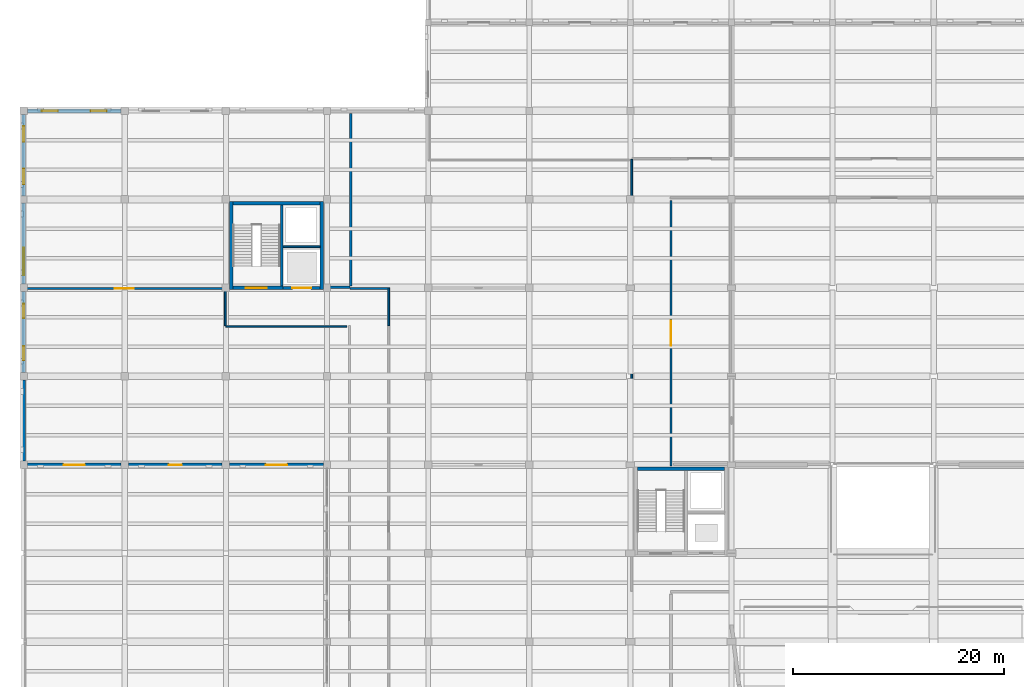
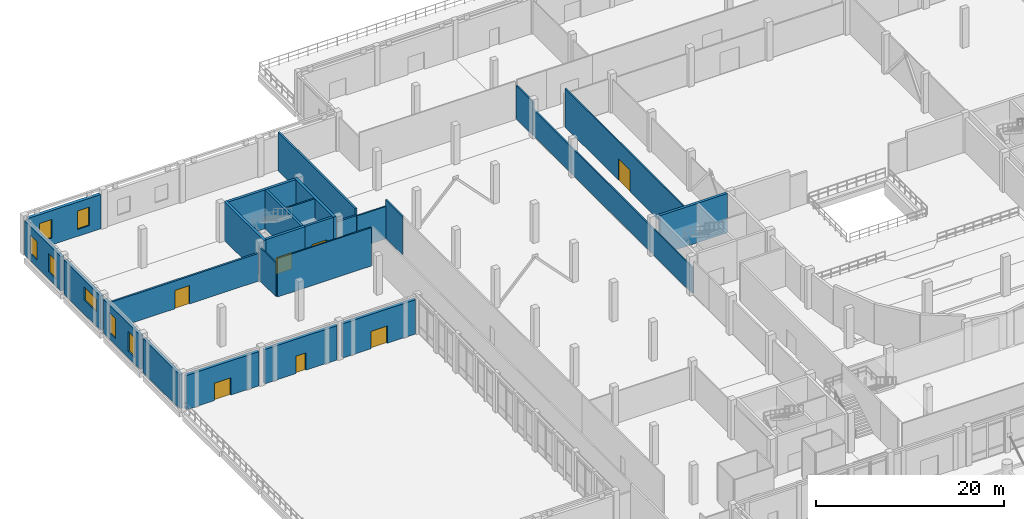
# One storey, part 54 of 71: 26 walls, 7 doors, 7 windows, 14 openings.
"""IFC4 building model written with IfcOpenShell, lengths in metres."""

import ifcopenshell
import ifcopenshell.guid

model = None  # the IFC model being written
_history = None  # IfcOwnerHistory: only IFC2X3 demands one
_inside = {}  # id of a spatial element -> (the spatial element, [elements in it])
_under = {}  # id of a project, library or spatial element -> (it, [spatial elements below it])
_declared = {}  # id of a project -> (the project, [libraries it declares])
_typed = {}  # id of a type object -> (the type object, [elements of that type])
_made_of = {}  # id of a material, layer set ... -> (it, [elements and type objects made of it])


def new_model(schema):
    """Start an empty IFC model of exactly this schema.

    Asked for "IFC4X3", IfcOpenShell would pick the latest addendum, in which some entities
    have other attributes; the version numbers below select the first issue.
    IFC2X3 requires an IfcOwnerHistory on every rooted entity: one is made here for all.
    """
    global model, _history
    if schema == "IFC4X3":
        model = ifcopenshell.file(schema_version=(4, 3, 0, 0))
    else:
        model = ifcopenshell.file(schema=schema)
    _inside.clear()
    _under.clear()
    _declared.clear()
    _typed.clear()
    _made_of.clear()
    _history = None
    if model.schema == "IFC2X3":
        org = make("IfcOrganization", Name="unknown")
        user = make(
            "IfcPersonAndOrganization",
            ThePerson=make("IfcPerson", FamilyName="unknown"),
            TheOrganization=org,
        )
        app = make(
            "IfcApplication",
            ApplicationDeveloper=org,
            Version="unknown",
            ApplicationFullName="unknown",
            ApplicationIdentifier="unknown",
        )
        _history = make(
            "IfcOwnerHistory",
            OwningUser=user,
            OwningApplication=app,
            ChangeAction="ADDED",
            CreationDate=0,
        )
    return model


def make(cls, **values):
    """One entity of the class cls with the attributes given. An attribute that is None is left unset."""
    return model.create_entity(
        cls, **{name: value for name, value in values.items() if value is not None}
    )


def rooted(cls, **values):
    """An entity with a GlobalId (a new one), such as an element, a storey or a relation."""
    return make(cls, GlobalId=ifcopenshell.guid.new(), OwnerHistory=_history, **values)


def si_unit(unit_type, name, prefix=None):
    """IfcSIUnit, for example si_unit("LENGTHUNIT", "METRE", prefix="MILLI")."""
    return make("IfcSIUnit", UnitType=unit_type, Prefix=prefix, Name=name)


def assignment(units):
    """IfcUnitAssignment: the units of a project."""
    return None if units is None else make("IfcUnitAssignment", Units=units)


def point(xyz):
    """IfcCartesianPoint."""
    return None if xyz is None else make("IfcCartesianPoint", Coordinates=xyz)


def direction(xyz):
    """IfcDirection."""
    return None if xyz is None else make("IfcDirection", DirectionRatios=xyz)


def frame(location, z_axis=None, x_axis=None):
    """IfcAxis2Placement3D, a coordinate frame: its origin and axes. An axis left out is left unset."""
    return make(
        "IfcAxis2Placement3D",
        Location=point(location),
        Axis=direction(z_axis),
        RefDirection=direction(x_axis),
    )


def frame_2d(location, x_axis=None):
    """IfcAxis2Placement2D, a coordinate frame in the plane: its origin and x axis."""
    return make(
        "IfcAxis2Placement2D", Location=point(location), RefDirection=direction(x_axis)
    )


def origin():
    """The frame at (0, 0, 0) with its axes left unset."""
    return frame((0.0, 0.0, 0.0))


def place(relative_to, where):
    """IfcLocalPlacement: puts the frame where relative to a parent placement (None: the world)."""
    return make(
        "IfcLocalPlacement", PlacementRelTo=relative_to, RelativePlacement=where
    )


def context(
    kind, dimensions, precision=None, world=None, true_north=None, identifier=None
):
    """IfcGeometricRepresentationContext, for example the 3D "Model" context."""
    return make(
        "IfcGeometricRepresentationContext",
        ContextIdentifier=identifier,
        ContextType=kind,
        CoordinateSpaceDimension=dimensions,
        Precision=precision,
        WorldCoordinateSystem=world,
        TrueNorth=true_north,
    )


def subcontext(parent, identifier, kind, view, scale=None):
    """IfcGeometricRepresentationSubContext, for example "Body" below "Model"."""
    return make(
        "IfcGeometricRepresentationSubContext",
        ContextIdentifier=identifier,
        ContextType=kind,
        ParentContext=parent,
        TargetScale=scale,
        TargetView=view,
    )


def project(units=None, contexts=None):
    """IfcProject with its units and contexts."""
    return rooted(
        "IfcProject",
        Name="project",
        RepresentationContexts=contexts,
        UnitsInContext=assignment(units),
    )


def spatial(cls, under=None, at=None, **own):
    """A site, building, storey or space (cls), placed at a placement, below another one or the project."""
    s = rooted(cls, ObjectPlacement=at, **own)
    if under is not None:
        _under.setdefault(under.id(), (under, []))[1].append(s)
    return s


def profile(cls, at=None, kind="AREA", **sizes):
    """A parametric profile (cls). Its sizes go by their IFC names, for example OverallWidth=200.0."""
    return make(cls, ProfileType=kind, Position=at, **sizes)


def rectangle(**sizes):
    """IfcRectangleProfileDef."""
    return profile("IfcRectangleProfileDef", **sizes)


def extrude(swept, where, along, depth):
    """IfcExtrudedAreaSolid: the profile swept, set in the frame where, extruded along a direction by depth."""
    return make(
        "IfcExtrudedAreaSolid",
        SweptArea=swept,
        Position=where,
        ExtrudedDirection=direction(along),
        Depth=depth,
    )


def shape(context_of_items, identifier, shape_type, items):
    """IfcShapeRepresentation: the items that make up one representation, for example the "Body"."""
    return make(
        "IfcShapeRepresentation",
        ContextOfItems=context_of_items,
        RepresentationIdentifier=identifier,
        RepresentationType=shape_type,
        Items=items,
    )


def material(Name=None, Category=None):
    """IfcMaterial."""
    return make("IfcMaterial", Name=Name, Category=Category)


def layer(
    of_material, thickness, ventilated=None, Name=None, Category=None, Priority=None
):
    """IfcMaterialLayer: one layer of a wall or slab, of a material (None: an air gap)."""
    return make(
        "IfcMaterialLayer",
        Material=of_material,
        LayerThickness=thickness,
        IsVentilated=ventilated,
        Name=Name,
        Category=Category,
        Priority=Priority,
    )


def layer_set(layers, Name=None):
    """IfcMaterialLayerSet."""
    return make("IfcMaterialLayerSet", MaterialLayers=layers, LayerSetName=Name)


def made_of(thing, what):
    """Note that an element or type object is made of a material, layer set ...; save() writes the relation."""
    if what is not None:
        _made_of.setdefault(what.id(), (what, []))[1].append(thing)
    return thing


def type_object(cls, material=None, **own):
    """A type object (cls), such as IfcWallType, which elements share."""
    return made_of(rooted(cls, **own), material)


def element(
    cls,
    number,
    at=None,
    inside=None,
    cuts=None,
    type_object=None,
    material=None,
    context=None,
    identifier="Body",
    shape_type=None,
    held_by="IfcProductDefinitionShape",
    body=None,
    shapes=None,
    **own,
):
    """One element of the class cls, such as IfcWall. Its Tag is "e" and its number.

    at: its placement. inside: the storey or other place that contains it. cuts: it is an
    opening in that element (IfcRelVoidsElement). A single representation is given by context,
    identifier, shape_type and body (its items); several are given by shapes. held_by: the class
    of the entity that holds the representations. save() writes the other relations.
    """
    e = rooted(cls, Tag="e%d" % number, ObjectPlacement=at, **own)
    if body is not None:
        shapes = [shape(context, identifier, shape_type, body)]
    if shapes is not None:
        e.Representation = make(held_by, Representations=shapes)
    if inside is not None:
        _inside.setdefault(inside.id(), (inside, []))[1].append(e)
    if cuts is not None:
        rooted(
            "IfcRelVoidsElement", RelatingBuildingElement=cuts, RelatedOpeningElement=e
        )
    if type_object is not None:
        _typed.setdefault(type_object.id(), (type_object, []))[1].append(e)
    return made_of(e, material)


def fill(opening, filler):
    """IfcRelFillsElement: the door or window that sits in an opening."""
    return rooted(
        "IfcRelFillsElement",
        RelatingOpeningElement=opening,
        RelatedBuildingElement=filler,
    )


def aggregate(whole, parts):
    """IfcRelAggregates: a whole, such as a stair, and the parts it consists of."""
    return rooted("IfcRelAggregates", RelatingObject=whole, RelatedObjects=parts)


def save(model, path):
    """Write the relations noted so far, then the file.

    IfcRelAggregates (storeys below a building ...), IfcRelContainedInSpatialStructure (elements
    in a storey), IfcRelDefinesByType, IfcRelAssociatesMaterial and IfcRelDeclares: one each for
    every whole, place, type object, material and project.
    """
    for whole, parts in _under.values():
        aggregate(whole, parts)
    for where, things in _inside.values():
        rooted(
            "IfcRelContainedInSpatialStructure",
            RelatedElements=things,
            RelatingStructure=where,
        )
    for kind, things in _typed.values():
        rooted("IfcRelDefinesByType", RelatedObjects=things, RelatingType=kind)
    for what, things in _made_of.values():
        rooted("IfcRelAssociatesMaterial", RelatedObjects=things, RelatingMaterial=what)
    for by, libraries in _declared.values():
        rooted("IfcRelDeclares", RelatingContext=by, RelatedDefinitions=libraries)
    model.write(path)


model = new_model("IFC4")

# Units and contexts
model_context = context("Model", 3, precision=1e-05, world=origin(), true_north=direction((0.0, 1.0)))
body_context = subcontext(model_context, "Body", "Model", "MODEL_VIEW")
ifc_project = project(units=[si_unit("LENGTHUNIT", "METRE"), si_unit("AREAUNIT", "SQUARE_METRE"), si_unit("VOLUMEUNIT", "CUBIC_METRE"), si_unit("PLANEANGLEUNIT", "RADIAN"), si_unit("MASSUNIT", "GRAM", prefix="KILO")], contexts=[model_context])

# Site, building, storey
site_placement = place(None, origin())
site = spatial("IfcSite", under=ifc_project, at=site_placement, CompositionType="ELEMENT")
building_placement = place(site_placement, origin())
building = spatial("IfcBuilding", under=site, at=building_placement, Name="Lornevale Opera House", CompositionType="ELEMENT")
storey_placement = place(building_placement, origin())
storey = spatial("IfcBuildingStorey", under=building, at=storey_placement, Name="L01", CompositionType="ELEMENT", Elevation=0.0)

# Wall, opening, door
ifc_material_1 = material(Name="Concrete 40 MPa (CSA A23.1 C-1)", Category="concrete")
ifc_layer_1 = layer(ifc_material_1, 0.320068359375)
ifc_layer_set_1 = layer_set([ifc_layer_1], Name="Concrete 40 MPa (CSA A23.1 C-1)")
wall_type_1 = type_object("IfcWallType", Name="Core Shear Wall 320", PredefinedType="SHEAR", material=ifc_layer_set_1)
wall_1_placement = place(storey_placement, frame((19.860107421875, 84.0, 0.0), z_axis=(0.0, 0.0, 1.0), x_axis=(1.0, 0.0, 0.0)))
wall_1 = element("IfcWall", 1, at=wall_1_placement, inside=storey, type_object=wall_type_1, Name="North-West Workshop Core Core Shear Wall 320 WL-COR-0127", PredefinedType="SHEAR", context=body_context, shape_type="SweptSolid", body=[
    extrude(rectangle(XDim=4.77978515625, YDim=0.320068359375, at=frame_2d((2.389892578125, 0.0))), origin(), (0.0, 0.0, 1.0), 5.050048828125),
])
opening_1_placement = place(wall_1_placement, frame((1.239990234375, 0.0, 0.0)))
opening_1 = element("IfcOpeningElement", 2, at=opening_1_placement, cuts=wall_1, Name="Opening DR-T12", PredefinedType="OPENING", context=body_context, shape_type="SweptSolid", body=[
    extrude(rectangle(XDim=2.0, YDim=2.199951171875, at=frame_2d((1.0, 1.10009765625))), frame((0.0, 0.169921875, 0.0), z_axis=(0.0, -1.0, 0.0), x_axis=(1.0, 0.0, 0.0)), (0.0, 0.0, 1.0), 0.340087890625),
])
ifc_material_2 = material(Name="Painted Hollow Metal Door Steel", Category="steel")
ifc_layer_2 = layer(ifc_material_2, 2.199951171875)
ifc_layer_set_2 = layer_set([ifc_layer_2], Name="Painted Hollow Metal Door Steel")
door_type_1 = type_object("IfcDoorType", Name="Exit Stair Discharge Pair 2000x2200", OperationType="NOTDEFINED", PredefinedType="DOOR", material=ifc_layer_set_2)
door_1_placement = place(opening_1_placement, origin())
door_1 = element("IfcDoor", 3, at=door_1_placement, inside=storey, type_object=door_type_1, Name="C4 Stair Door L01", OperationType="DOUBLE_SWING_LEFT", OverallHeight=2.199951171875, OverallWidth=2.0, PredefinedType="DOOR", context=body_context, shape_type="SweptSolid", body=[
    extrude(rectangle(XDim=2.0, YDim=2.199951171875, at=frame_2d((1.0, 1.10009765625))), frame((0.0, 0.02490234375, 0.0), z_axis=(0.0, -1.0, 0.0), x_axis=(1.0, 0.0, 0.0)), (0.0, 0.0, 1.0), 0.050048828125),
])
fill(opening_1, door_1)

# Walls
wall_2_placement = place(storey_placement, frame((28.139892578125, 92.0400390625, 0.0), z_axis=(0.0, 0.0, 1.0), x_axis=(-1.0, 0.0, 0.0)))
element("IfcWall", 4, at=wall_2_placement, inside=storey, type_object=wall_type_1, Name="North-West Workshop Core Core Shear Wall 320 WL-COR-0129", PredefinedType="SHEAR", context=body_context, shape_type="SweptSolid", body=[
    extrude(rectangle(XDim=8.27978515625, YDim=0.320068359375, at=frame_2d((4.139892578125, 0.0))), origin(), (0.0, 0.0, 1.0), 5.050048828125),
])
for number, where, z_axis, x_axis, name in (
    (5, (19.699951171875, 92.199951171875, 0.0), (0.0, 0.0, 1.0), (0.0, -1.0, 0.0), "North-West Workshop Core Core Shear Wall 320 WL-COR-0130"),
    (6, (28.300048828125, 83.840087890625, 0.0), (0.0, 0.0, 1.0), (0.0, 1.0, 0.0), "North-West Workshop Core Core Shear Wall 320 WL-COR-0131"),
):
    element("IfcWall", number, at=place(storey_placement, frame(where, z_axis=z_axis, x_axis=x_axis)), inside=storey, type_object=wall_type_1, Name=name, PredefinedType="SHEAR", context=body_context, shape_type="SweptSolid", body=[
        extrude(rectangle(XDim=8.35986328125, YDim=0.320068359375, at=frame_2d((4.179931640625, 0.0))), origin(), (0.0, 0.0, 1.0), 5.050048828125),
    ])
wall_3_placement = place(storey_placement, frame((66.5400390625, 66.840087890625, 0.0), z_axis=(0.0, 0.0, 1.0), x_axis=(-1.0, 0.0, 0.0)))
element("IfcWall", 7, at=wall_3_placement, inside=storey, type_object=wall_type_1, Name="Auditorium West Tier Core Core Shear Wall 320 WL-COR-0164", PredefinedType="SHEAR", context=body_context, shape_type="SweptSolid", body=[
    extrude(rectangle(XDim=8.280029296875, YDim=0.320068359375, at=frame_2d((4.14013671875, 0.0))), origin(), (0.0, 0.0, 1.0), 5.10009765625),
])

# Wall, opening, door
ifc_material_3 = material(Name="Acoustic Mineral-Core Gypsum Partition", Category="gypsum")
ifc_layer_3 = layer(ifc_material_3, 0.1650390625)
ifc_layer_set_3 = layer_set([ifc_layer_3], Name="Acoustic Mineral-Core Gypsum Partition")
wall_type_2 = type_object("IfcWallType", Name="Corridor Rated Partition 165", PredefinedType="PARTITIONING", material=ifc_layer_set_3)
wall_4_placement = place(storey_placement, frame((61.4599609375, 67.090087890625, 0.0), z_axis=(0.0, 0.0, 1.0), x_axis=(0.0, 1.0, 0.0)))
wall_4 = element("IfcWall", 8, at=wall_4_placement, inside=storey, type_object=wall_type_2, Name="L01 Partition WL-INT-0668", PredefinedType="PARTITIONING", context=body_context, shape_type="SweptSolid", body=[
    extrude(rectangle(XDim=25.199951171875, YDim=0.1650390625, at=frame_2d((12.60009765625, 0.0))), origin(), (0.0, 0.0, 1.0), 4.989990234375),
])
opening_2_placement = place(wall_4_placement, frame((11.39990234375, 0.0, 0.0)))
opening_2 = element("IfcOpeningElement", 9, at=opening_2_placement, cuts=wall_4, Name="Opening DR-T16", PredefinedType="OPENING", context=body_context, shape_type="SweptSolid", body=[
    extrude(rectangle(XDim=2.39990234375, YDim=2.800048828125, at=frame_2d((1.199951171875, 1.39990234375))), frame((0.0, 0.092529296875, 0.0), z_axis=(0.0, -1.0, 0.0), x_axis=(1.0, 0.0, 0.0)), (0.0, 0.0, 1.0), 0.18505859375),
])
ifc_layer_4 = layer(ifc_material_2, 2.800048828125)
ifc_layer_set_4 = layer_set([ifc_layer_4], Name="Painted Hollow Metal Door Steel")
door_type_2 = type_object("IfcDoorType", Name="Stage Scenery Double Door 2400x2800", OperationType="NOTDEFINED", PredefinedType="DOOR", material=ifc_layer_set_4)
door_2_placement = place(opening_2_placement, origin())
door_2 = element("IfcDoor", 10, at=door_2_placement, inside=storey, type_object=door_type_2, Name="Left Side Stage Door", OperationType="DOUBLE_SWING_LEFT", OverallHeight=2.800048828125, OverallWidth=2.39990234375, PredefinedType="DOOR", context=body_context, shape_type="SweptSolid", body=[
    extrude(rectangle(XDim=2.39990234375, YDim=2.800048828125, at=frame_2d((1.199951171875, 1.39990234375))), frame((0.0, 0.02490234375, 0.0), z_axis=(0.0, -1.0, 0.0), x_axis=(1.0, 0.0, 0.0)), (0.0, 0.0, 1.0), 0.050048828125),
])
fill(opening_2, door_2)

# Walls
wall_5_placement = place(storey_placement, frame((31.0, 83.93994140625, 0.0), z_axis=(0.0, 0.0, 1.0), x_axis=(1.0, 0.0, 0.0)))
element("IfcWall", 11, at=wall_5_placement, inside=storey, type_object=wall_type_2, Name="L01 Partition WL-INT-0691", PredefinedType="PARTITIONING", context=body_context, shape_type="SweptSolid", body=[
    extrude(rectangle(XDim=3.60009765625, YDim=0.1650390625, at=frame_2d((1.800048828125, 0.0))), origin(), (0.0, 0.0, 1.0), 4.199951171875),
])
wall_6_placement = place(storey_placement, frame((34.659912109375, 80.39990234375, 0.0), z_axis=(0.0, 0.0, 1.0), x_axis=(0.0, 1.0, 0.0)))
element("IfcWall", 12, at=wall_6_placement, inside=storey, type_object=wall_type_2, Name="L01 Partition WL-INT-0692", PredefinedType="PARTITIONING", context=body_context, shape_type="SweptSolid", body=[
    extrude(rectangle(XDim=3.60009765625, YDim=0.1650390625, at=frame_2d((1.800048828125, 0.0))), origin(), (0.0, 0.0, 1.0), 4.989990234375),
])
wall_7_placement = place(storey_placement, frame((57.739990234375, 58.800048828125, 0.0), z_axis=(0.0, 0.0, 1.0), x_axis=(0.0, 1.0, 0.0)))
element("IfcWall", 13, at=wall_7_placement, inside=storey, type_object=wall_type_2, Name="L01 Partition WL-INT-0696", PredefinedType="PARTITIONING", context=body_context, shape_type="SweptSolid", body=[
    extrude(rectangle(XDim=33.800048828125, YDim=0.1650390625, at=frame_2d((16.89990234375, 0.0))), origin(), (0.0, 0.0, 1.0), 3.39990234375),
])
wall_8_placement = place(storey_placement, frame((57.739990234375, 92.60009765625, 0.0), z_axis=(0.0, 0.0, 1.0), x_axis=(0.0, 1.0, 0.0)))
element("IfcWall", 14, at=wall_8_placement, inside=storey, type_object=wall_type_2, Name="L01 Partition WL-INT-0697", PredefinedType="PARTITIONING", context=body_context, shape_type="SweptSolid", body=[
    extrude(rectangle(XDim=3.599853515625, YDim=0.1650390625, at=frame_2d((1.7998046875, 0.0))), origin(), (0.0, 0.0, 1.0), 4.320068359375),
])
wall_9_placement = place(storey_placement, frame((19.199951171875, 80.340087890625, 0.0), z_axis=(0.0, 0.0, 1.0), x_axis=(1.0, 0.0, 0.0)))
element("IfcWall", 15, at=wall_9_placement, inside=storey, type_object=wall_type_2, Name="L01 Partition WL-INT-0699", PredefinedType="PARTITIONING", context=body_context, shape_type="SweptSolid", body=[
    extrude(rectangle(XDim=11.489990234375, YDim=0.1650390625, at=frame_2d((5.7451171875, 0.0))), origin(), (0.0, 0.0, 1.0), 4.989990234375),
])
wall_10_placement = place(storey_placement, frame((19.139892578125, 80.39990234375, 0.0), z_axis=(0.0, 0.0, 1.0), x_axis=(0.0, 1.0, 0.0)))
element("IfcWall", 16, at=wall_10_placement, inside=storey, type_object=wall_type_2, Name="L01 Partition WL-INT-0700", PredefinedType="PARTITIONING", context=body_context, shape_type="SweptSolid", body=[
    extrude(rectangle(XDim=3.60009765625, YDim=0.1650390625, at=frame_2d((1.800048828125, 0.0))), origin(), (0.0, 0.0, 1.0), 4.35009765625),
])

# Wall, opening, door
ifc_layer_5 = layer(ifc_material_1, 0.280029296875)
ifc_layer_set_5 = layer_set([ifc_layer_5], Name="Concrete 40 MPa (CSA A23.1 C-1)")
wall_type_3 = type_object("IfcWallType", Name="Elevator Shaft Wall 280", PredefinedType="SHEAR", material=ifc_layer_set_5)
wall_11_placement = place(storey_placement, frame((24.639892578125, 84.0, 0.0), z_axis=(0.0, 0.0, 1.0), x_axis=(1.0, 0.0, 0.0)))
wall_11 = element("IfcWall", 17, at=wall_11_placement, inside=storey, type_object=wall_type_3, Name="North-West Workshop Core Elevator Shaft Wall 280 WL-COR-0128", PredefinedType="SHEAR", context=body_context, shape_type="SweptSolid", body=[
    extrude(rectangle(XDim=3.5, YDim=0.280029296875, at=frame_2d((1.75, 0.0))), origin(), (0.0, 0.0, 1.0), 5.050048828125),
])
opening_3_placement = place(wall_11_placement, frame((0.860107421875, 0.0, 0.0)))
opening_3 = element("IfcOpeningElement", 18, at=opening_3_placement, cuts=wall_11, Name="Opening DR-T27", PredefinedType="OPENING", context=body_context, shape_type="SweptSolid", body=[
    extrude(rectangle(XDim=1.800048828125, YDim=2.39990234375, at=frame_2d((0.89990234375, 1.199951171875))), frame((0.0, 0.14990234375, 0.0), z_axis=(0.0, -1.0, 0.0), x_axis=(1.0, 0.0, 0.0)), (0.0, 0.0, 1.0), 0.300048828125),
])
ifc_layer_6 = layer(ifc_material_2, 2.39990234375)
ifc_layer_set_6 = layer_set([ifc_layer_6], Name="Painted Hollow Metal Door Steel")
door_type_3 = type_object("IfcDoorType", Name="Freight Lift Landing Door 1800x2400", OperationType="NOTDEFINED", PredefinedType="DOOR", material=ifc_layer_set_6)
door_3_placement = place(opening_3_placement, origin())
door_3 = element("IfcDoor", 19, at=door_3_placement, inside=storey, type_object=door_type_3, Name="L-B1 Landing Door L01", OperationType="SLIDING_TO_LEFT", OverallHeight=2.39990234375, OverallWidth=1.800048828125, PredefinedType="DOOR", context=body_context, shape_type="SweptSolid", body=[
    extrude(rectangle(XDim=1.800048828125, YDim=2.39990234375, at=frame_2d((0.89990234375, 1.199951171875))), frame((0.0, 0.02490234375, 0.0), z_axis=(0.0, -1.0, 0.0), x_axis=(1.0, 0.0, 0.0)), (0.0, 0.0, 1.0), 0.050048828125),
])
fill(opening_3, door_3)

# Walls
wall_12_placement = place(storey_placement, frame((24.5, 84.159912109375, 0.0), z_axis=(0.0, 0.0, 1.0), x_axis=(0.0, 1.0, 0.0)))
element("IfcWall", 20, at=wall_12_placement, inside=storey, type_object=wall_type_3, Name="North-West Workshop Core Elevator Shaft Wall 280 WL-COR-0132", PredefinedType="SHEAR", context=body_context, shape_type="SweptSolid", body=[
    extrude(rectangle(XDim=7.719970703125, YDim=0.280029296875, at=frame_2d((3.85986328125, 0.0))), origin(), (0.0, 0.0, 1.0), 5.050048828125),
])
ifc_layer_7 = layer(ifc_material_3, 0.22998046875)
ifc_layer_set_7 = layer_set([ifc_layer_7], Name="Acoustic Mineral-Core Gypsum Partition")
wall_type_4 = type_object("IfcWallType", Name="Rehearsal Studio Acoustic Wall 230", PredefinedType="SOLIDWALL", material=ifc_layer_set_7)
wall_13_placement = place(storey_placement, frame((28.550048828125, 84.06005859375, 0.0), z_axis=(0.0, 0.0, 1.0), x_axis=(1.0, 0.0, 0.0)))
element("IfcWall", 21, at=wall_13_placement, inside=storey, type_object=wall_type_4, Name="L01 Partition WL-INT-0673", PredefinedType="SOLIDWALL", context=body_context, shape_type="SweptSolid", body=[
    extrude(rectangle(XDim=2.449951171875, YDim=0.22998046875, at=frame_2d((1.22509765625, 0.0))), origin(), (0.0, 0.0, 1.0), 4.199951171875),
])
wall_14_placement = place(storey_placement, frame((31.06005859375, 84.18994140625, 0.0), z_axis=(0.0, 0.0, 1.0), x_axis=(0.0, 1.0, 0.0)))
element("IfcWall", 22, at=wall_14_placement, inside=storey, type_object=wall_type_4, Name="L01 Partition WL-INT-0739", PredefinedType="SOLIDWALL", context=body_context, shape_type="SweptSolid", body=[
    extrude(rectangle(XDim=16.360107421875, YDim=0.22998046875, at=frame_2d((8.18017578125, 0.0))), origin(), (0.0, 0.0, 1.0), 4.989990234375),
])

# Wall, opening, door
wall_15_placement = place(storey_placement, frame((0.219970703125, 83.93994140625, 0.0), z_axis=(0.0, 0.0, 1.0), x_axis=(1.0, 0.0, 0.0)))
wall_15 = element("IfcWall", 23, at=wall_15_placement, inside=storey, type_object=wall_type_4, Name="L01 Partition WL-INT-0740", PredefinedType="SOLIDWALL", context=body_context, shape_type="SweptSolid", body=[
    extrude(rectangle(XDim=18.669921875, YDim=0.22998046875, at=frame_2d((9.3349609375, 0.0))), origin(), (0.0, 0.0, 1.0), 3.60009765625),
])
opening_4_placement = place(wall_15_placement, frame((8.43505859375, 0.0, 0.0)))
opening_4 = element("IfcOpeningElement", 24, at=opening_4_placement, cuts=wall_15, Name="Opening DR-T18", PredefinedType="OPENING", context=body_context, shape_type="SweptSolid", body=[
    extrude(rectangle(XDim=1.800048828125, YDim=2.39990234375, at=frame_2d((0.89990234375, 1.199951171875))), frame((0.0, 0.125, 0.0), z_axis=(0.0, -1.0, 0.0), x_axis=(1.0, 0.0, 0.0)), (0.0, 0.0, 1.0), 0.25),
])
ifc_material_4 = material(Name="White Oak Acoustic Panelling", Category="wood")
ifc_layer_8 = layer(ifc_material_4, 2.39990234375)
ifc_layer_set_8 = layer_set([ifc_layer_8], Name="White Oak Acoustic Panelling")
door_type_4 = type_object("IfcDoorType", Name="Rehearsal Studio Pair 1800x2400", OperationType="NOTDEFINED", PredefinedType="DOOR", material=ifc_layer_set_8)
door_4_placement = place(opening_4_placement, origin())
door_4 = element("IfcDoor", 25, at=door_4_placement, inside=storey, type_object=door_type_4, Name="Community Opera Rehearsal Studio Door", OperationType="DOUBLE_SWING_LEFT", OverallHeight=2.39990234375, OverallWidth=1.800048828125, PredefinedType="DOOR", context=body_context, shape_type="SweptSolid", body=[
    extrude(rectangle(XDim=1.800048828125, YDim=2.39990234375, at=frame_2d((0.89990234375, 1.199951171875))), frame((0.0, 0.02490234375, 0.0), z_axis=(0.0, -1.0, 0.0), x_axis=(1.0, 0.0, 0.0)), (0.0, 0.0, 1.0), 0.050048828125),
])
fill(opening_4, door_4)

# Wall
ifc_material_5 = material(Name="Moisture-Resistant Ceramic & Gypsum Partition", Category="gypsum")
ifc_layer_9 = layer(ifc_material_5, 0.179931640625)
ifc_layer_set_9 = layer_set([ifc_layer_9], Name="Moisture-Resistant Ceramic & Gypsum Partition")
wall_type_5 = type_object("IfcWallType", Name="Riser Shaft Wall 180", PredefinedType="SOLIDWALL", material=ifc_layer_set_9)
wall_16_placement = place(storey_placement, frame((24.639892578125, 87.89990234375, 0.0), z_axis=(0.0, 0.0, 1.0), x_axis=(1.0, 0.0, 0.0)))
element("IfcWall", 26, at=wall_16_placement, inside=storey, type_object=wall_type_5, Name="North-West Workshop Core Riser Shaft Wall 180 WL-COR-0133", PredefinedType="SOLIDWALL", context=body_context, shape_type="SweptSolid", body=[
    extrude(rectangle(XDim=3.5, YDim=0.179931640625, at=frame_2d((1.75, 0.0))), origin(), (0.0, 0.0, 1.0), 5.050048828125),
])

# Wall, opening, door
ifc_material_6 = material(Name="Credit Valley Sandstone Ashlar Masonry (25 MPa)", Category="masonry")
ifc_layer_10 = layer(ifc_material_6, 0.3798828125)
ifc_layer_set_10 = layer_set([ifc_layer_10], Name="Credit Valley Sandstone Ashlar Masonry (25 MPa)")
wall_type_6 = type_object("IfcWallType", Name="Sandstone Plinth Bearing Wall 380", PredefinedType="SOLIDWALL", material=ifc_layer_set_10)
wall_17_placement = place(storey_placement, frame((9.25, 67.199951171875, 0.0), z_axis=(0.0, 0.0, 1.0), x_axis=(-1.0, 0.0, 0.0)))
wall_17 = element("IfcWall", 27, at=wall_17_placement, inside=storey, type_object=wall_type_6, Name="Sandstone Plinth Bearing Wall 380 WL-EXT-0140", PredefinedType="SOLIDWALL", context=body_context, shape_type="SweptSolid", body=[
    extrude(rectangle(XDim=8.89990234375, YDim=0.3798828125, at=frame_2d((4.449951171875, 0.0))), origin(), (0.0, 0.0, 1.0), 4.449951171875),
])
opening_5_placement = place(wall_17_placement, frame((3.449951171875, 0.0, 0.0)))
opening_5 = element("IfcOpeningElement", 28, at=opening_5_placement, cuts=wall_17, Name="Opening DR-T06", PredefinedType="OPENING", context=body_context, shape_type="SweptSolid", body=[
    extrude(rectangle(XDim=2.0, YDim=2.25, at=frame_2d((1.0, 1.125))), frame((0.0, 0.199951171875, 0.0), z_axis=(0.0, -1.0, 0.0), x_axis=(1.0, 0.0, 0.0)), (0.0, 0.0, 1.0), 0.39990234375),
])
ifc_layer_11 = layer(ifc_material_2, 0.050048828125)
ifc_layer_set_11 = layer_set([ifc_layer_11], Name="Painted Hollow Metal Door Steel")
door_type_5 = type_object("IfcDoorType", Name="Exterior Paired Exit Door 2000x2250", OperationType="NOTDEFINED", PredefinedType="DOOR", material=ifc_layer_set_11)
door_5_placement = place(opening_5_placement, origin())
door_5 = element("IfcDoor", 29, at=door_5_placement, inside=storey, type_object=door_type_5, Name="Exterior Paired Exit Door 2000x2250 DR-EXT-007", OperationType="DOUBLE_DOOR_SINGLE_SWING", OverallHeight=2.25, OverallWidth=2.0, PredefinedType="DOOR", context=body_context, shape_type="SweptSolid", body=[
    extrude(rectangle(XDim=2.0, YDim=2.25, at=frame_2d((1.0, 1.125))), frame((0.0, 0.02490234375, 0.0), z_axis=(0.0, -1.0, 0.0), x_axis=(1.0, 0.0, 0.0)), (0.0, 0.0, 1.0), 0.050048828125),
])
fill(opening_5, door_5)

# Wall
wall_18_placement = place(storey_placement, frame((0.0, 67.550048828125, 0.0), z_axis=(0.0, 0.0, 1.0), x_axis=(0.0, 1.0, 0.0)))
element("IfcWall", 30, at=wall_18_placement, inside=storey, type_object=wall_type_6, Name="Sandstone Plinth Bearing Wall 380 WL-EXT-0141", PredefinedType="SOLIDWALL", context=body_context, shape_type="SweptSolid", body=[
    extrude(rectangle(XDim=7.699951171875, YDim=0.3798828125, at=frame_2d((3.85009765625, 0.0))), origin(), (0.0, 0.0, 1.0), 4.449951171875),
])

# Wall, openings, windows
wall_19_placement = place(storey_placement, frame((0.0, 75.949951171875, 0.0), z_axis=(0.0, 0.0, 1.0), x_axis=(0.0, 1.0, 0.0)))
wall_19 = element("IfcWall", 31, at=wall_19_placement, inside=storey, type_object=wall_type_6, Name="Sandstone Plinth Bearing Wall 380 WL-EXT-0142", PredefinedType="SOLIDWALL", context=body_context, shape_type="SweptSolid", body=[
    extrude(rectangle(XDim=7.699951171875, YDim=0.3798828125, at=frame_2d((3.85009765625, 0.0))), origin(), (0.0, 0.0, 1.0), 4.449951171875),
])
opening_6_placement = place(wall_19_placement, frame((1.173095703125, 0.0, 0.85009765625)))
opening_6 = element("IfcOpeningElement", 32, at=opening_6_placement, cuts=wall_19, Name="Opening WN-T14", PredefinedType="OPENING", context=body_context, shape_type="SweptSolid", body=[
    extrude(rectangle(XDim=1.35009765625, YDim=2.60009765625, at=frame_2d((0.675048828125, 1.300048828125))), frame((0.0, 0.199951171875, 0.0), z_axis=(0.0, -1.0, 0.0), x_axis=(1.0, 0.0, 0.0)), (0.0, 0.0, 1.0), 0.39990234375),
])
opening_7_placement = place(wall_19_placement, frame((5.177001953125, 0.0, 0.85009765625)))
opening_7 = element("IfcOpeningElement", 33, at=opening_7_placement, cuts=wall_19, Name="Opening WN-T14", PredefinedType="OPENING", context=body_context, shape_type="SweptSolid", body=[
    extrude(rectangle(XDim=1.35009765625, YDim=2.60009765625, at=frame_2d((0.675048828125, 1.300048828125))), frame((0.0, 0.199951171875, 0.0), z_axis=(0.0, -1.0, 0.0), x_axis=(1.0, 0.0, 0.0)), (0.0, 0.0, 1.0), 0.39990234375),
])
ifc_material_7 = material(Name="Triple Low-E Insulated Glazing", Category="glass")
ifc_layer_12 = layer(ifc_material_7, 0.06005859375)
ifc_layer_set_12 = layer_set([ifc_layer_12], Name="Triple Low-E Insulated Glazing")
window_type_1 = type_object("IfcWindowType", Name="Chamber Gallery Window 1350x2600", PartitioningType="NOTDEFINED", PredefinedType="WINDOW", material=ifc_layer_set_12)
window_1_placement = place(opening_6_placement, origin())
window_1 = element("IfcWindow", 34, at=window_1_placement, inside=storey, type_object=window_type_1, Name="Chamber Gallery Window 1350x2600 WN-0009", OverallHeight=2.60009765625, OverallWidth=1.35009765625, PartitioningType="SINGLE_PANEL", PredefinedType="WINDOW", context=body_context, shape_type="SweptSolid", body=[
    extrude(rectangle(XDim=1.35009765625, YDim=2.60009765625, at=frame_2d((0.675048828125, 1.300048828125))), frame((0.0, 0.030029296875, 0.0), z_axis=(0.0, -1.0, 0.0), x_axis=(1.0, 0.0, 0.0)), (0.0, 0.0, 1.0), 0.06005859375),
])
fill(opening_6, window_1)
window_2_placement = place(opening_7_placement, origin())
window_2 = element("IfcWindow", 35, at=window_2_placement, inside=storey, type_object=window_type_1, Name="Chamber Gallery Window 1350x2600 WN-0010", OverallHeight=2.60009765625, OverallWidth=1.35009765625, PartitioningType="SINGLE_PANEL", PredefinedType="WINDOW", context=body_context, shape_type="SweptSolid", body=[
    extrude(rectangle(XDim=1.35009765625, YDim=2.60009765625, at=frame_2d((0.675048828125, 1.300048828125))), frame((0.0, 0.030029296875, 0.0), z_axis=(0.0, -1.0, 0.0), x_axis=(1.0, 0.0, 0.0)), (0.0, 0.0, 1.0), 0.06005859375),
])
fill(opening_7, window_2)

# Wall, opening, window
wall_20_placement = place(storey_placement, frame((0.0, 84.35009765625, 0.0), z_axis=(0.0, 0.0, 1.0), x_axis=(0.0, 1.0, 0.0)))
wall_20 = element("IfcWall", 36, at=wall_20_placement, inside=storey, type_object=wall_type_6, Name="Sandstone Plinth Bearing Wall 380 WL-EXT-0143", PredefinedType="SOLIDWALL", context=body_context, shape_type="SweptSolid", body=[
    extrude(rectangle(XDim=7.724853515625, YDim=0.3798828125, at=frame_2d((3.8623046875, 0.0))), origin(), (0.0, 0.0, 1.0), 4.449951171875),
])
opening_8_placement = place(wall_20_placement, frame((0.863037109375, 0.0, 1.820068359375)))
opening_8 = element("IfcOpeningElement", 37, at=opening_8_placement, cuts=wall_20, Name="Opening WN-T19", PredefinedType="OPENING", context=body_context, shape_type="SweptSolid", body=[
    extrude(rectangle(XDim=2.60009765625, YDim=1.699951171875, at=frame_2d((1.300048828125, 0.85009765625))), frame((0.0, 0.199951171875, 0.0), z_axis=(0.0, -1.0, 0.0), x_axis=(1.0, 0.0, 0.0)), (0.0, 0.0, 1.0), 0.39990234375),
])
ifc_layer_13 = layer(ifc_material_7, 0.06005859375)
ifc_layer_set_13 = layer_set([ifc_layer_13], Name="Triple Low-E Insulated Glazing")
window_type_2 = type_object("IfcWindowType", Name="Portico Tympanum Window 2600x1700", PartitioningType="NOTDEFINED", PredefinedType="WINDOW", material=ifc_layer_set_13)
window_3_placement = place(opening_8_placement, origin())
window_3 = element("IfcWindow", 38, at=window_3_placement, inside=storey, type_object=window_type_2, Name="Portico Tympanum Window 2600x1700 WN-0011", OverallHeight=1.699951171875, OverallWidth=2.60009765625, PartitioningType="SINGLE_PANEL", PredefinedType="WINDOW", context=body_context, shape_type="SweptSolid", body=[
    extrude(rectangle(XDim=2.60009765625, YDim=1.699951171875, at=frame_2d((1.300048828125, 0.85009765625))), frame((0.0, 0.030029296875, 0.0), z_axis=(0.0, -1.0, 0.0), x_axis=(1.0, 0.0, 0.0)), (0.0, 0.0, 1.0), 0.06005859375),
])
fill(opening_8, window_3)

# Wall, openings, windows
wall_21_placement = place(storey_placement, frame((0.35009765625, 100.800048828125, 0.0), z_axis=(0.0, 0.0, 1.0), x_axis=(1.0, 0.0, 0.0)))
wall_21 = element("IfcWall", 39, at=wall_21_placement, inside=storey, type_object=wall_type_6, Name="Sandstone Plinth Bearing Wall 380 WL-EXT-0144", PredefinedType="SOLIDWALL", context=body_context, shape_type="SweptSolid", body=[
    extrude(rectangle(XDim=8.89990234375, YDim=0.3798828125, at=frame_2d((4.449951171875, 0.0))), origin(), (0.0, 0.0, 1.0), 4.449951171875),
])
opening_9_placement = place(wall_21_placement, frame((1.385986328125, 0.0, 0.89990234375)))
opening_9 = element("IfcOpeningElement", 40, at=opening_9_placement, cuts=wall_21, Name="Opening WN-T02", PredefinedType="OPENING", context=body_context, shape_type="SweptSolid", body=[
    extrude(rectangle(XDim=1.5, YDim=2.39990234375, at=frame_2d((0.75, 1.199951171875))), frame((0.0, 0.199951171875, 0.0), z_axis=(0.0, -1.0, 0.0), x_axis=(1.0, 0.0, 0.0)), (0.0, 0.0, 1.0), 0.39990234375),
])
opening_10_placement = place(wall_21_placement, frame((6.013916015625, 0.0, 0.89990234375)))
opening_10 = element("IfcOpeningElement", 41, at=opening_10_placement, cuts=wall_21, Name="Opening WN-T02", PredefinedType="OPENING", context=body_context, shape_type="SweptSolid", body=[
    extrude(rectangle(XDim=1.5, YDim=2.39990234375, at=frame_2d((0.75, 1.199951171875))), frame((0.0, 0.199951171875, 0.0), z_axis=(0.0, -1.0, 0.0), x_axis=(1.0, 0.0, 0.0)), (0.0, 0.0, 1.0), 0.39990234375),
])
ifc_layer_14 = layer(ifc_material_7, 0.06005859375)
ifc_layer_set_14 = layer_set([ifc_layer_14], Name="Triple Low-E Insulated Glazing")
window_type_3 = type_object("IfcWindowType", Name="Punched Deep-Reveal Window 1500x2400", PartitioningType="NOTDEFINED", PredefinedType="WINDOW", material=ifc_layer_set_14)
window_4_placement = place(opening_9_placement, origin())
window_4 = element("IfcWindow", 42, at=window_4_placement, inside=storey, type_object=window_type_3, Name="Punched Deep-Reveal Window 1500x2400 WN-0012", OverallHeight=2.39990234375, OverallWidth=1.5, PartitioningType="SINGLE_PANEL", PredefinedType="WINDOW", context=body_context, shape_type="SweptSolid", body=[
    extrude(rectangle(XDim=1.5, YDim=2.39990234375, at=frame_2d((0.75, 1.199951171875))), frame((0.0, 0.030029296875, 0.0), z_axis=(0.0, -1.0, 0.0), x_axis=(1.0, 0.0, 0.0)), (0.0, 0.0, 1.0), 0.06005859375),
])
fill(opening_9, window_4)
window_5_placement = place(opening_10_placement, origin())
window_5 = element("IfcWindow", 43, at=window_5_placement, inside=storey, type_object=window_type_3, Name="Punched Deep-Reveal Window 1500x2400 WN-0013", OverallHeight=2.39990234375, OverallWidth=1.5, PartitioningType="SINGLE_PANEL", PredefinedType="WINDOW", context=body_context, shape_type="SweptSolid", body=[
    extrude(rectangle(XDim=1.5, YDim=2.39990234375, at=frame_2d((0.75, 1.199951171875))), frame((0.0, 0.030029296875, 0.0), z_axis=(0.0, -1.0, 0.0), x_axis=(1.0, 0.0, 0.0)), (0.0, 0.0, 1.0), 0.06005859375),
])
fill(opening_10, window_5)

wall_22_placement = place(storey_placement, frame((0.0, 92.72509765625, 0.0), z_axis=(0.0, 0.0, 1.0), x_axis=(0.0, 1.0, 0.0)))
wall_22 = element("IfcWall", 44, at=wall_22_placement, inside=storey, type_object=wall_type_6, Name="Sandstone Plinth Bearing Wall 380 WL-EXT-0145", PredefinedType="SOLIDWALL", context=body_context, shape_type="SweptSolid", body=[
    extrude(rectangle(XDim=7.724853515625, YDim=0.3798828125, at=frame_2d((3.8623046875, 0.0))), origin(), (0.0, 0.0, 1.0), 4.449951171875),
])
opening_11_placement = place(wall_22_placement, frame((1.10400390625, 0.0, 0.89990234375)))
opening_11 = element("IfcOpeningElement", 45, at=opening_11_placement, cuts=wall_22, Name="Opening WN-T02", PredefinedType="OPENING", context=body_context, shape_type="SweptSolid", body=[
    extrude(rectangle(XDim=1.5, YDim=2.39990234375, at=frame_2d((0.75, 1.199951171875))), frame((0.0, 0.199951171875, 0.0), z_axis=(0.0, -1.0, 0.0), x_axis=(1.0, 0.0, 0.0)), (0.0, 0.0, 1.0), 0.39990234375),
])
opening_12_placement = place(wall_22_placement, frame((5.12109375, 0.0, 0.89990234375)))
opening_12 = element("IfcOpeningElement", 46, at=opening_12_placement, cuts=wall_22, Name="Opening WN-T02", PredefinedType="OPENING", context=body_context, shape_type="SweptSolid", body=[
    extrude(rectangle(XDim=1.5, YDim=2.39990234375, at=frame_2d((0.75, 1.199951171875))), frame((0.0, 0.199951171875, 0.0), z_axis=(0.0, -1.0, 0.0), x_axis=(1.0, 0.0, 0.0)), (0.0, 0.0, 1.0), 0.39990234375),
])
window_6_placement = place(opening_11_placement, origin())
window_6 = element("IfcWindow", 47, at=window_6_placement, inside=storey, type_object=window_type_3, Name="Punched Deep-Reveal Window 1500x2400 WN-0014", OverallHeight=2.39990234375, OverallWidth=1.5, PartitioningType="SINGLE_PANEL", PredefinedType="WINDOW", context=body_context, shape_type="SweptSolid", body=[
    extrude(rectangle(XDim=1.5, YDim=2.39990234375, at=frame_2d((0.75, 1.199951171875))), frame((0.0, 0.030029296875, 0.0), z_axis=(0.0, -1.0, 0.0), x_axis=(1.0, 0.0, 0.0)), (0.0, 0.0, 1.0), 0.06005859375),
])
fill(opening_11, window_6)
window_7_placement = place(opening_12_placement, origin())
window_7 = element("IfcWindow", 48, at=window_7_placement, inside=storey, type_object=window_type_3, Name="Punched Deep-Reveal Window 1500x2400 WN-0015", OverallHeight=2.39990234375, OverallWidth=1.5, PartitioningType="SINGLE_PANEL", PredefinedType="WINDOW", context=body_context, shape_type="SweptSolid", body=[
    extrude(rectangle(XDim=1.5, YDim=2.39990234375, at=frame_2d((0.75, 1.199951171875))), frame((0.0, 0.030029296875, 0.0), z_axis=(0.0, -1.0, 0.0), x_axis=(1.0, 0.0, 0.0)), (0.0, 0.0, 1.0), 0.06005859375),
])
fill(opening_12, window_7)

# Wall, opening, door
wall_23_placement = place(storey_placement, frame((18.85009765625, 67.199951171875, 0.0), z_axis=(0.0, 0.0, 1.0), x_axis=(-1.0, 0.0, 0.0)))
wall_23 = element("IfcWall", 49, at=wall_23_placement, inside=storey, type_object=wall_type_6, Name="Sandstone Plinth Bearing Wall 380 WL-EXT-0148", PredefinedType="SOLIDWALL", context=body_context, shape_type="SweptSolid", body=[
    extrude(rectangle(XDim=8.900146484375, YDim=0.3798828125, at=frame_2d((4.4501953125, 0.0))), origin(), (0.0, 0.0, 1.0), 4.449951171875),
])
opening_13_placement = place(wall_23_placement, frame((3.840087890625, 0.0, 0.0)))
opening_13 = element("IfcOpeningElement", 50, at=opening_13_placement, cuts=wall_23, Name="Opening DR-T05", PredefinedType="OPENING", context=body_context, shape_type="SweptSolid", body=[
    extrude(rectangle(XDim=1.219970703125, YDim=2.25, at=frame_2d((0.60986328125, 1.125))), frame((0.0, 0.199951171875, 0.0), z_axis=(0.0, -1.0, 0.0), x_axis=(1.0, 0.0, 0.0)), (0.0, 0.0, 1.0), 0.39990234375),
])
ifc_layer_15 = layer(ifc_material_2, 0.050048828125)
ifc_layer_set_15 = layer_set([ifc_layer_15], Name="Painted Hollow Metal Door Steel")
door_type_6 = type_object("IfcDoorType", Name="Exterior Final Exit Door 1220x2250", OperationType="NOTDEFINED", PredefinedType="DOOR", material=ifc_layer_set_15)
door_6_placement = place(opening_13_placement, origin())
door_6 = element("IfcDoor", 51, at=door_6_placement, inside=storey, type_object=door_type_6, Name="Exterior Final Exit Door 1220x2250 DR-EXT-009", OperationType="SINGLE_SWING_LEFT", OverallHeight=2.25, OverallWidth=1.219970703125, PredefinedType="DOOR", context=body_context, shape_type="SweptSolid", body=[
    extrude(rectangle(XDim=1.219970703125, YDim=2.25, at=frame_2d((0.60986328125, 1.125))), frame((0.0, 0.02490234375, 0.0), z_axis=(0.0, -1.0, 0.0), x_axis=(1.0, 0.0, 0.0)), (0.0, 0.0, 1.0), 0.050048828125),
])
fill(opening_13, door_6)

wall_24_placement = place(storey_placement, frame((28.449951171875, 67.199951171875, 0.0), z_axis=(0.0, 0.0, 1.0), x_axis=(-1.0, 0.0, 0.0)))
wall_24 = element("IfcWall", 52, at=wall_24_placement, inside=storey, type_object=wall_type_6, Name="Sandstone Plinth Bearing Wall 380 WL-EXT-0152", PredefinedType="SOLIDWALL", context=body_context, shape_type="SweptSolid", body=[
    extrude(rectangle(XDim=8.89990234375, YDim=0.3798828125, at=frame_2d((4.449951171875, 0.0))), origin(), (0.0, 0.0, 1.0), 4.449951171875),
])
opening_14_placement = place(wall_24_placement, frame((3.449951171875, 0.0, 0.0)))
opening_14 = element("IfcOpeningElement", 53, at=opening_14_placement, cuts=wall_24, Name="Opening DR-T06", PredefinedType="OPENING", context=body_context, shape_type="SweptSolid", body=[
    extrude(rectangle(XDim=2.0, YDim=2.25, at=frame_2d((1.0, 1.125))), frame((0.0, 0.199951171875, 0.0), z_axis=(0.0, -1.0, 0.0), x_axis=(1.0, 0.0, 0.0)), (0.0, 0.0, 1.0), 0.39990234375),
])
door_7_placement = place(opening_14_placement, origin())
door_7 = element("IfcDoor", 54, at=door_7_placement, inside=storey, type_object=door_type_5, Name="Exterior Paired Exit Door 2000x2250 DR-EXT-011", OperationType="DOUBLE_DOOR_SINGLE_SWING", OverallHeight=2.25, OverallWidth=2.0, PredefinedType="DOOR", context=body_context, shape_type="SweptSolid", body=[
    extrude(rectangle(XDim=2.0, YDim=2.25, at=frame_2d((1.0, 1.125))), frame((0.0, 0.02490234375, 0.0), z_axis=(0.0, -1.0, 0.0), x_axis=(1.0, 0.0, 0.0)), (0.0, 0.0, 1.0), 0.050048828125),
])
fill(opening_14, door_7)

save(model, "model.ifc")
